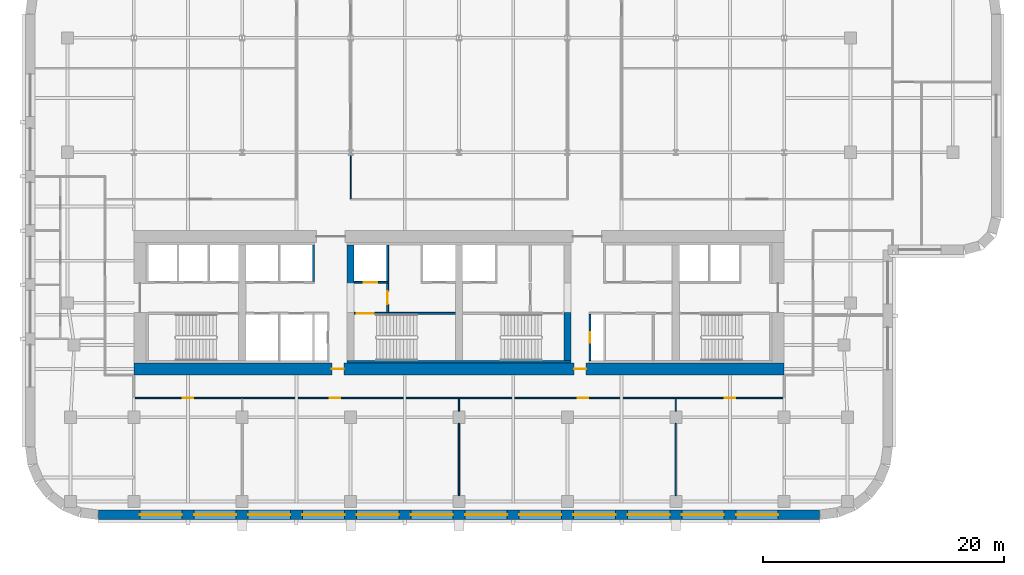
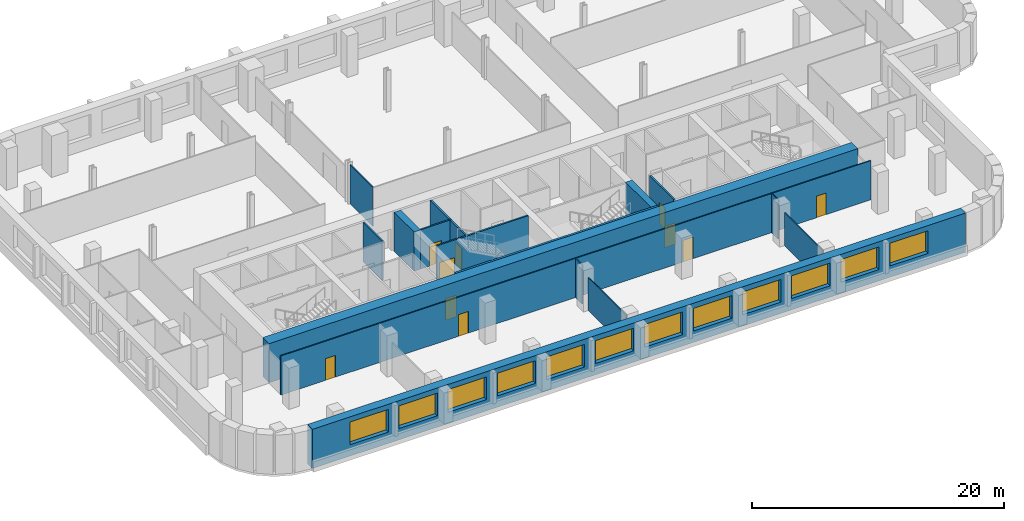
# One storey, part 4 of 9: 17 walls, 12 windows, 10 doors, 22 openings.
"""IFC4 building model written with IfcOpenShell, lengths in metres."""

from ifc_helpers import new_model, si_unit, direction, frame, frame_2d, origin, place, context, subcontext, project, spatial, rectangle, extrude, material, layer, layer_set, type_object, element, fill, save


model = new_model("IFC4")

# Units and contexts
model_context = context("Model", 3, precision=1e-05, world=origin(), true_north=direction((0.0, 1.0)))
body_context = subcontext(model_context, "Body", "Model", "MODEL_VIEW")
ifc_project = project(units=[si_unit("LENGTHUNIT", "METRE"), si_unit("AREAUNIT", "SQUARE_METRE"), si_unit("VOLUMEUNIT", "CUBIC_METRE"), si_unit("PLANEANGLEUNIT", "RADIAN"), si_unit("MASSUNIT", "GRAM", prefix="KILO")], contexts=[model_context])

# Site, building, storey
site_placement = place(None, origin())
site = spatial("IfcSite", under=ifc_project, at=site_placement, CompositionType="ELEMENT")
building_placement = place(site_placement, origin())
building = spatial("IfcBuilding", under=site, at=building_placement, Name="Zellij Exchange Tower", CompositionType="ELEMENT")
storey_placement = place(building_placement, frame((0.0, 0.0, 116.5)))
storey = spatial("IfcBuildingStorey", under=building, at=storey_placement, Name="L25", CompositionType="ELEMENT", Elevation=116.5)

# Walls
ifc_material_1 = material(Name="Concrete C70/85", Category="concrete")
ifc_layer_1 = layer(ifc_material_1, 0.60009765625)
ifc_layer_set_1 = layer_set([ifc_layer_1], Name="Concrete C70/85")
wall_type_1 = type_object("IfcWallType", Name="CORE-CW 600 C70/85", PredefinedType="SHEAR", material=ifc_layer_set_1)
wall_1_placement = place(storey_placement, frame((-9.0, -6.375, 0.0), z_axis=(0.0, 0.0, 1.0), x_axis=(0.0, 1.0, 0.0)))
element("IfcWall", 1, at=wall_1_placement, inside=storey, type_object=wall_type_1, Name="Core cross wall pier x -9 b L25", PredefinedType="SHEAR", context=body_context, shape_type="SweptSolid", body=[
    extrude(rectangle(XDim=3.175048828125, YDim=0.60009765625, at=frame_2d((1.58740234375, 0.0))), origin(), (0.0, 0.0, 1.0), 3.800048828125),
])
wall_2_placement = place(storey_placement, frame((9.0, -12.800048828125, 0.0), z_axis=(0.0, 0.0, 1.0), x_axis=(0.0, 1.0, 0.0)))
element("IfcWall", 2, at=wall_2_placement, inside=storey, type_object=wall_type_1, Name="Core cross wall pier x 9 a L25", PredefinedType="SHEAR", context=body_context, shape_type="SweptSolid", body=[
    extrude(rectangle(XDim=4.0, YDim=0.60009765625, at=frame_2d((2.0, 0.0))), origin(), (0.0, 0.0, 1.0), 3.800048828125),
])
ifc_material_2 = material(Name="Concrete C30/37", Category="concrete")
ifc_layer_2 = layer(ifc_material_2, 0.199951171875)
ifc_layer_set_2 = layer_set([ifc_layer_2], Name="Concrete C30/37")
wall_type_2 = type_object("IfcWallType", Name="CORE-LW 200 C30/37", PredefinedType="SHEAR", material=ifc_layer_set_2)
wall_3_placement = place(storey_placement, frame((-9.300048828125, -12.89990234375, 0.0), z_axis=(0.0, 0.0, 1.0), x_axis=(1.0, 0.0, 0.0)))
element("IfcWall", 3, at=wall_3_placement, inside=storey, type_object=wall_type_2, Name="Core wall lining rear.1 L25", PredefinedType="SHEAR", context=body_context, shape_type="SweptSolid", body=[
    extrude(rectangle(XDim=18.60009765625, YDim=0.199951171875, at=frame_2d((9.300048828125, 0.0))), origin(), (0.0, 0.0, 1.0), 3.800048828125),
])

# Wall, opening, door
ifc_material_3 = material(Name="Gypsum shaft wall system")
ifc_layer_3 = layer(ifc_material_3, 0.14990234375)
ifc_layer_set_3 = layer_set([ifc_layer_3], Name="Gypsum shaft wall system")
wall_type_3 = type_object("IfcWallType", Name="CORE-PW 150 Firefighting lobby wall", PredefinedType="PARTITIONING", material=ifc_layer_set_3)
wall_4_placement = place(storey_placement, frame((-5.925048828125, -8.800048828125, 0.0), z_axis=(0.0, 0.0, 1.0), x_axis=(0.0, 1.0, 0.0)))
wall_4 = element("IfcWall", 4, at=wall_4_placement, inside=storey, type_object=wall_type_3, Name="Firefighting lobby wall L25", PredefinedType="PARTITIONING", context=body_context, shape_type="SweptSolid", body=[
    extrude(rectangle(XDim=2.425048828125, YDim=0.14990234375, at=frame_2d((1.21240234375, 0.0))), origin(), (0.0, 0.0, 1.0), 3.800048828125),
])
opening_1_placement = place(wall_4_placement, frame((0.662109375, 0.0, 0.0)))
opening_1 = element("IfcOpeningElement", 5, at=opening_1_placement, cuts=wall_4, Name="Opening CA-14.15", PredefinedType="OPENING", context=body_context, shape_type="SweptSolid", body=[
    extrude(rectangle(XDim=1.10009765625, YDim=2.10009765625, at=frame_2d((0.550048828125, 1.050048828125))), frame((0.0, 0.0869140625, 0.0), z_axis=(0.0, -1.0, 0.0), x_axis=(1.0, 0.0, 0.0)), (0.0, 0.0, 1.0), 0.173828125),
])
ifc_material_4 = material(Name="Hollow metal fire door")
door_type_1 = type_object("IfcDoorType", Name="CORE-D F Firefighting lobby door 1100x2100 1 HR", OperationType="NOTDEFINED", PredefinedType="DOOR", material=ifc_material_4)
door_1_placement = place(opening_1_placement, origin())
door_1 = element("IfcDoor", 6, at=door_1_placement, inside=storey, type_object=door_type_1, Name="Firefighting lobby door CA-14.15", OperationType="SINGLE_SWING_LEFT", OverallHeight=2.10009765625, OverallWidth=1.10009765625, PredefinedType="DOOR", context=body_context, shape_type="SweptSolid", body=[
    extrude(rectangle(XDim=1.10009765625, YDim=2.10009765625, at=frame_2d((0.550048828125, 1.050048828125))), frame((0.0, 0.02490234375, 0.0), z_axis=(0.0, -1.0, 0.0), x_axis=(1.0, 0.0, 0.0)), (0.0, 0.0, 1.0), 0.050048828125),
])
fill(opening_1, door_1)

ifc_material_5 = material(Name="Gypsum board partition")
ifc_layer_4 = layer(ifc_material_5, 0.14990234375)
ifc_layer_set_4 = layer_set([ifc_layer_4], Name="Gypsum board partition")
wall_type_4 = type_object("IfcWallType", Name="CORE-PW 150 Lift lobby wall", PredefinedType="PARTITIONING", material=ifc_layer_set_4)
wall_5_placement = place(storey_placement, frame((10.875, -12.800048828125, 0.0), z_axis=(0.0, 0.0, 1.0), x_axis=(0.0, 1.0, 0.0)))
wall_5 = element("IfcWall", 7, at=wall_5_placement, inside=storey, type_object=wall_type_4, Name="Lift lobby wall L25", PredefinedType="PARTITIONING", context=body_context, shape_type="SweptSolid", body=[
    extrude(rectangle(XDim=3.85009765625, YDim=0.14990234375, at=frame_2d((1.925048828125, 0.0))), origin(), (0.0, 0.0, 1.0), 3.800048828125),
])
opening_2_placement = place(wall_5_placement, frame((1.47509765625, 0.0, 0.0)))
opening_2 = element("IfcOpeningElement", 8, at=opening_2_placement, cuts=wall_5, Name="Opening CA-14.22", PredefinedType="OPENING", context=body_context, shape_type="SweptSolid", body=[
    extrude(rectangle(XDim=0.89990234375, YDim=2.10009765625, at=frame_2d((0.449951171875, 1.050048828125))), frame((0.0, 0.0869140625, 0.0), z_axis=(0.0, -1.0, 0.0), x_axis=(1.0, 0.0, 0.0)), (0.0, 0.0, 1.0), 0.173828125),
])
door_type_2 = type_object("IfcDoorType", Name="CORE-D RD Riser door 900x2100 1.5 HR", OperationType="NOTDEFINED", PredefinedType="DOOR", material=ifc_material_4)
door_2_placement = place(opening_2_placement, origin())
door_2 = element("IfcDoor", 9, at=door_2_placement, inside=storey, type_object=door_type_2, Name="Riser door CA-14.22", OperationType="SINGLE_SWING_LEFT", OverallHeight=2.10009765625, OverallWidth=0.89990234375, PredefinedType="DOOR", context=body_context, shape_type="SweptSolid", body=[
    extrude(rectangle(XDim=0.89990234375, YDim=2.10009765625, at=frame_2d((0.449951171875, 1.050048828125))), frame((0.0, 0.02490234375, 0.0), z_axis=(0.0, -1.0, 0.0), x_axis=(1.0, 0.0, 0.0)), (0.0, 0.0, 1.0), 0.050048828125),
])
fill(opening_2, door_2)

# Walls
ifc_layer_5 = layer(ifc_material_3, 0.14990234375)
ifc_layer_set_5 = layer_set([ifc_layer_5], Name="Gypsum shaft wall system")
wall_type_5 = type_object("IfcWallType", Name="CORE-PW 150 Lift shaft wall", PredefinedType="PARTITIONING", material=ifc_layer_set_5)
for number, where, z_axis, x_axis, name in (
    (10, (-12.074951171875, -6.22509765625, 0.0), (0.0, 0.0, 1.0), (0.0, 1.0, 0.0), "Lift shaft wall L25"),
    (11, (-5.925048828125, -6.22509765625, 0.0), (0.0, 0.0, 1.0), (0.0, 1.0, 0.0), "Lift shaft wall L25"),
):
    element("IfcWall", number, at=place(storey_placement, frame(where, z_axis=z_axis, x_axis=x_axis)), inside=storey, type_object=wall_type_5, Name=name, PredefinedType="PARTITIONING", context=body_context, shape_type="SweptSolid", body=[
        extrude(rectangle(XDim=3.025146484375, YDim=0.14990234375, at=frame_2d((1.5126953125, 0.0))), origin(), (0.0, 0.0, 1.0), 3.800048828125),
    ])

# Wall, opening, door
wall_6_placement = place(storey_placement, frame((-8.699951171875, -6.300048828125, 0.0), z_axis=(0.0, 0.0, 1.0), x_axis=(1.0, 0.0, 0.0)))
wall_6 = element("IfcWall", 12, at=wall_6_placement, inside=storey, type_object=wall_type_5, Name="Lift shaft wall L25", PredefinedType="PARTITIONING", context=body_context, shape_type="SweptSolid", body=[
    extrude(rectangle(XDim=2.849853515625, YDim=0.14990234375, at=frame_2d((1.4248046875, 0.0))), origin(), (0.0, 0.0, 1.0), 3.800048828125),
])
opening_3_placement = place(wall_6_placement, frame((0.800048828125, 0.0, 0.0)))
opening_3 = element("IfcOpeningElement", 13, at=opening_3_placement, cuts=wall_6, Name="Opening CA-14.14", PredefinedType="OPENING", context=body_context, shape_type="SweptSolid", body=[
    extrude(rectangle(XDim=1.10009765625, YDim=2.10009765625, at=frame_2d((0.550048828125, 1.050048828125))), frame((0.0, 0.0869140625, 0.0), z_axis=(0.0, -1.0, 0.0), x_axis=(1.0, 0.0, 0.0)), (0.0, 0.0, 1.0), 0.173828125),
])
door_type_3 = type_object("IfcDoorType", Name="CORE-D LD Lift landing door 1100x2100 1.5 HR", OperationType="NOTDEFINED", PredefinedType="DOOR", material=ifc_material_4)
door_3_placement = place(opening_3_placement, origin())
door_3 = element("IfcDoor", 14, at=door_3_placement, inside=storey, type_object=door_type_3, Name="Lift landing door CA-14.14", OperationType="SLIDING_TO_RIGHT", OverallHeight=2.10009765625, OverallWidth=1.10009765625, PredefinedType="DOOR", context=body_context, shape_type="SweptSolid", body=[
    extrude(rectangle(XDim=1.10009765625, YDim=2.10009765625, at=frame_2d((0.550048828125, 1.050048828125))), frame((0.0, 0.02490234375, 0.0), z_axis=(0.0, -1.0, 0.0), x_axis=(1.0, 0.0, 0.0)), (0.0, 0.0, 1.0), 0.050048828125),
])
fill(opening_3, door_3)

# Wall, openings, doors
ifc_layer_6 = layer(ifc_material_1, 1.0)
ifc_layer_set_6 = layer_set([ifc_layer_6], Name="Concrete C70/85")
wall_type_6 = type_object("IfcWallType", Name="CORE-SW 1000 C70/85", PredefinedType="SHEAR", material=ifc_layer_set_6)
wall_7_placement = place(storey_placement, frame((-27.0, -13.5, 0.0), z_axis=(0.0, 0.0, 1.0), x_axis=(1.0, 0.0, 0.0)))
wall_7 = element("IfcWall", 15, at=wall_7_placement, inside=storey, type_object=wall_type_6, Name="Core shear wall rear L25", PredefinedType="SHEAR", context=body_context, shape_type="SweptSolid", body=[
    extrude(rectangle(XDim=54.0, YDim=1.0, at=frame_2d((27.0, 0.0))), origin(), (0.0, 0.0, 1.0), 3.800048828125),
])
opening_4_placement = place(wall_7_placement, frame((16.449951171875, 0.0, 0.0)))
opening_4 = element("IfcOpeningElement", 16, at=opening_4_placement, cuts=wall_7, Name="Opening CA-14.12", PredefinedType="OPENING", context=body_context, shape_type="SweptSolid", body=[
    extrude(rectangle(XDim=1.0, YDim=2.10009765625, at=frame_2d((0.5, 1.050048828125))), frame((0.0, 0.511962890625, 0.0), z_axis=(0.0, -1.0, 0.0), x_axis=(1.0, 0.0, 0.0)), (0.0, 0.0, 1.0), 1.02392578125),
])
opening_5_placement = place(wall_7_placement, frame((36.550048828125, 0.0, 0.0)))
opening_5 = element("IfcOpeningElement", 17, at=opening_5_placement, cuts=wall_7, Name="Opening CA-14.20", PredefinedType="OPENING", context=body_context, shape_type="SweptSolid", body=[
    extrude(rectangle(XDim=1.0, YDim=2.10009765625, at=frame_2d((0.5, 1.050048828125))), frame((0.0, 0.511962890625, 0.0), z_axis=(0.0, -1.0, 0.0), x_axis=(1.0, 0.0, 0.0)), (0.0, 0.0, 1.0), 1.02392578125),
])
door_type_4 = type_object("IfcDoorType", Name="CORE-D CR Core rear door 1000x2100 20 MIN", OperationType="NOTDEFINED", PredefinedType="DOOR", material=ifc_material_4)
door_4_placement = place(opening_4_placement, origin())
door_4 = element("IfcDoor", 18, at=door_4_placement, inside=storey, type_object=door_type_4, Name="Core rear door CA-14.12", OperationType="SINGLE_SWING_RIGHT", OverallHeight=2.10009765625, OverallWidth=1.0, PredefinedType="DOOR", context=body_context, shape_type="SweptSolid", body=[
    extrude(rectangle(XDim=1.0, YDim=2.10009765625, at=frame_2d((0.5, 1.050048828125))), frame((0.0, 0.02490234375, 0.0), z_axis=(0.0, -1.0, 0.0), x_axis=(1.0, 0.0, 0.0)), (0.0, 0.0, 1.0), 0.050048828125),
])
fill(opening_4, door_4)
door_5_placement = place(opening_5_placement, origin())
door_5 = element("IfcDoor", 19, at=door_5_placement, inside=storey, type_object=door_type_4, Name="Core rear door CA-14.20", OperationType="SINGLE_SWING_LEFT", OverallHeight=2.10009765625, OverallWidth=1.0, PredefinedType="DOOR", context=body_context, shape_type="SweptSolid", body=[
    extrude(rectangle(XDim=1.0, YDim=2.10009765625, at=frame_2d((0.5, 1.050048828125))), frame((0.0, 0.02490234375, 0.0), z_axis=(0.0, -1.0, 0.0), x_axis=(1.0, 0.0, 0.0)), (0.0, 0.0, 1.0), 0.050048828125),
])
fill(opening_5, door_5)

# Wall, opening, door
ifc_layer_7 = layer(ifc_material_1, 0.14990234375)
ifc_layer_set_7 = layer_set([ifc_layer_7], Name="Concrete C70/85")
wall_type_7 = type_object("IfcWallType", Name="CORE-SWS 150 C70/85", PredefinedType="SHEAR", material=ifc_layer_set_7)
wall_8_placement = place(storey_placement, frame((-8.699951171875, -8.875, 0.0), z_axis=(0.0, 0.0, 1.0), x_axis=(1.0, 0.0, 0.0)))
wall_8 = element("IfcWall", 20, at=wall_8_placement, inside=storey, type_object=wall_type_7, Name="Stair enclosure wall L25", PredefinedType="SHEAR", context=body_context, shape_type="SweptSolid", body=[
    extrude(rectangle(XDim=8.39990234375, YDim=0.14990234375, at=frame_2d((4.199951171875, 0.0))), origin(), (0.0, 0.0, 1.0), 3.800048828125),
])
opening_6_placement = place(wall_8_placement, frame((0.22509765625, 0.0, 0.0)))
opening_6 = element("IfcOpeningElement", 21, at=opening_6_placement, cuts=wall_8, Name="Opening CA-14.13", PredefinedType="OPENING", context=body_context, shape_type="SweptSolid", body=[
    extrude(rectangle(XDim=1.39990234375, YDim=2.10009765625, at=frame_2d((0.699951171875, 1.050048828125))), frame((0.0, 0.0869140625, 0.0), z_axis=(0.0, -1.0, 0.0), x_axis=(1.0, 0.0, 0.0)), (0.0, 0.0, 1.0), 0.173828125),
])
door_type_5 = type_object("IfcDoorType", Name="CORE-D SD Stair door 1400x2100 1.5 HR", OperationType="NOTDEFINED", PredefinedType="DOOR", material=ifc_material_4)
door_6_placement = place(opening_6_placement, origin())
door_6 = element("IfcDoor", 22, at=door_6_placement, inside=storey, type_object=door_type_5, Name="Stair door CA-14.13", OperationType="DOUBLE_DOOR_SINGLE_SWING", OverallHeight=2.10009765625, OverallWidth=1.39990234375, PredefinedType="DOOR", context=body_context, shape_type="SweptSolid", body=[
    extrude(rectangle(XDim=1.39990234375, YDim=2.10009765625, at=frame_2d((0.699951171875, 1.050048828125))), frame((0.0, 0.02490234375, 0.0), z_axis=(0.0, -1.0, 0.0), x_axis=(1.0, 0.0, 0.0)), (0.0, 0.0, 1.0), 0.050048828125),
])
fill(opening_6, door_6)

# Wall, openings, windows
ifc_material_6 = material(Name="Precast concrete C40/50", Category="concrete")
ifc_layer_8 = layer(ifc_material_6, 0.800048828125)
ifc_layer_set_8 = layer_set([ifc_layer_8], Name="Precast concrete C40/50")
wall_type_8 = type_object("IfcWallType", Name="ENV-EW1 Precast stone-piered wall 800", PredefinedType="SOLIDWALL", material=ifc_layer_set_8)
wall_9_placement = place(storey_placement, frame((-29.947509765625, -25.60009765625, 0.0), z_axis=(0.0, 0.0, 1.0), x_axis=(1.0, 0.0, 0.0)))
wall_9 = element("IfcWall", 23, at=wall_9_placement, inside=storey, type_object=wall_type_8, Name="fac.L25.00", PredefinedType="SOLIDWALL", context=body_context, shape_type="SweptSolid", body=[
    extrude(rectangle(XDim=59.89501953125, YDim=0.800048828125, at=frame_2d((29.947509765625, 0.0))), origin(), (0.0, 0.0, 1.0), 3.800048828125),
])
opening_7_placement = place(wall_9_placement, frame((3.447509765625, 0.0, 1.10009765625)))
opening_7 = element("IfcOpeningElement", 24, at=opening_7_placement, cuts=wall_9, Name="Opening FZ2.01", PredefinedType="OPENING", context=body_context, shape_type="SweptSolid", body=[
    extrude(rectangle(XDim=3.5, YDim=2.199951171875, at=frame_2d((1.75, 1.10009765625))), frame((0.0, 0.412109375, 0.0), z_axis=(0.0, -1.0, 0.0), x_axis=(1.0, 0.0, 0.0)), (0.0, 0.0, 1.0), 0.823974609375),
])
opening_8_placement = place(wall_9_placement, frame((7.947509765625, 0.0, 1.10009765625)))
opening_8 = element("IfcOpeningElement", 25, at=opening_8_placement, cuts=wall_9, Name="Opening FZ2.02", PredefinedType="OPENING", context=body_context, shape_type="SweptSolid", body=[
    extrude(rectangle(XDim=3.5, YDim=2.199951171875, at=frame_2d((1.75, 1.10009765625))), frame((0.0, 0.412109375, 0.0), z_axis=(0.0, -1.0, 0.0), x_axis=(1.0, 0.0, 0.0)), (0.0, 0.0, 1.0), 0.823974609375),
])
opening_9_placement = place(wall_9_placement, frame((12.447509765625, 0.0, 1.10009765625)))
opening_9 = element("IfcOpeningElement", 26, at=opening_9_placement, cuts=wall_9, Name="Opening FZ2.03", PredefinedType="OPENING", context=body_context, shape_type="SweptSolid", body=[
    extrude(rectangle(XDim=3.5, YDim=2.199951171875, at=frame_2d((1.75, 1.10009765625))), frame((0.0, 0.412109375, 0.0), z_axis=(0.0, -1.0, 0.0), x_axis=(1.0, 0.0, 0.0)), (0.0, 0.0, 1.0), 0.823974609375),
])
opening_10_placement = place(wall_9_placement, frame((16.947509765625, 0.0, 1.10009765625)))
opening_10 = element("IfcOpeningElement", 27, at=opening_10_placement, cuts=wall_9, Name="Opening FZ2.04", PredefinedType="OPENING", context=body_context, shape_type="SweptSolid", body=[
    extrude(rectangle(XDim=3.5, YDim=2.199951171875, at=frame_2d((1.75, 1.10009765625))), frame((0.0, 0.412109375, 0.0), z_axis=(0.0, -1.0, 0.0), x_axis=(1.0, 0.0, 0.0)), (0.0, 0.0, 1.0), 0.823974609375),
])
opening_11_placement = place(wall_9_placement, frame((21.447509765625, 0.0, 1.10009765625)))
opening_11 = element("IfcOpeningElement", 28, at=opening_11_placement, cuts=wall_9, Name="Opening FZ2.05", PredefinedType="OPENING", context=body_context, shape_type="SweptSolid", body=[
    extrude(rectangle(XDim=3.5, YDim=2.199951171875, at=frame_2d((1.75, 1.10009765625))), frame((0.0, 0.412109375, 0.0), z_axis=(0.0, -1.0, 0.0), x_axis=(1.0, 0.0, 0.0)), (0.0, 0.0, 1.0), 0.823974609375),
])
opening_12_placement = place(wall_9_placement, frame((25.947509765625, 0.0, 1.10009765625)))
opening_12 = element("IfcOpeningElement", 29, at=opening_12_placement, cuts=wall_9, Name="Opening FZ2.06", PredefinedType="OPENING", context=body_context, shape_type="SweptSolid", body=[
    extrude(rectangle(XDim=3.5, YDim=2.199951171875, at=frame_2d((1.75, 1.10009765625))), frame((0.0, 0.412109375, 0.0), z_axis=(0.0, -1.0, 0.0), x_axis=(1.0, 0.0, 0.0)), (0.0, 0.0, 1.0), 0.823974609375),
])
opening_13_placement = place(wall_9_placement, frame((30.447509765625, 0.0, 1.10009765625)))
opening_13 = element("IfcOpeningElement", 30, at=opening_13_placement, cuts=wall_9, Name="Opening FZ2.07", PredefinedType="OPENING", context=body_context, shape_type="SweptSolid", body=[
    extrude(rectangle(XDim=3.5, YDim=2.199951171875, at=frame_2d((1.75, 1.10009765625))), frame((0.0, 0.412109375, 0.0), z_axis=(0.0, -1.0, 0.0), x_axis=(1.0, 0.0, 0.0)), (0.0, 0.0, 1.0), 0.823974609375),
])
opening_14_placement = place(wall_9_placement, frame((34.947509765625, 0.0, 1.10009765625)))
opening_14 = element("IfcOpeningElement", 31, at=opening_14_placement, cuts=wall_9, Name="Opening FZ2.08", PredefinedType="OPENING", context=body_context, shape_type="SweptSolid", body=[
    extrude(rectangle(XDim=3.5, YDim=2.199951171875, at=frame_2d((1.75, 1.10009765625))), frame((0.0, 0.412109375, 0.0), z_axis=(0.0, -1.0, 0.0), x_axis=(1.0, 0.0, 0.0)), (0.0, 0.0, 1.0), 0.823974609375),
])
opening_15_placement = place(wall_9_placement, frame((39.447509765625, 0.0, 1.10009765625)))
opening_15 = element("IfcOpeningElement", 32, at=opening_15_placement, cuts=wall_9, Name="Opening FZ2.09", PredefinedType="OPENING", context=body_context, shape_type="SweptSolid", body=[
    extrude(rectangle(XDim=3.5, YDim=2.199951171875, at=frame_2d((1.75, 1.10009765625))), frame((0.0, 0.412109375, 0.0), z_axis=(0.0, -1.0, 0.0), x_axis=(1.0, 0.0, 0.0)), (0.0, 0.0, 1.0), 0.823974609375),
])
opening_16_placement = place(wall_9_placement, frame((43.947509765625, 0.0, 1.10009765625)))
opening_16 = element("IfcOpeningElement", 33, at=opening_16_placement, cuts=wall_9, Name="Opening FZ2.10", PredefinedType="OPENING", context=body_context, shape_type="SweptSolid", body=[
    extrude(rectangle(XDim=3.5, YDim=2.199951171875, at=frame_2d((1.75, 1.10009765625))), frame((0.0, 0.412109375, 0.0), z_axis=(0.0, -1.0, 0.0), x_axis=(1.0, 0.0, 0.0)), (0.0, 0.0, 1.0), 0.823974609375),
])
opening_17_placement = place(wall_9_placement, frame((48.447509765625, 0.0, 1.10009765625)))
opening_17 = element("IfcOpeningElement", 34, at=opening_17_placement, cuts=wall_9, Name="Opening FZ2.11", PredefinedType="OPENING", context=body_context, shape_type="SweptSolid", body=[
    extrude(rectangle(XDim=3.5, YDim=2.199951171875, at=frame_2d((1.75, 1.10009765625))), frame((0.0, 0.412109375, 0.0), z_axis=(0.0, -1.0, 0.0), x_axis=(1.0, 0.0, 0.0)), (0.0, 0.0, 1.0), 0.823974609375),
])
opening_18_placement = place(wall_9_placement, frame((52.947509765625, 0.0, 1.10009765625)))
opening_18 = element("IfcOpeningElement", 35, at=opening_18_placement, cuts=wall_9, Name="Opening FZ2.12", PredefinedType="OPENING", context=body_context, shape_type="SweptSolid", body=[
    extrude(rectangle(XDim=3.5, YDim=2.199951171875, at=frame_2d((1.75, 1.10009765625))), frame((0.0, 0.412109375, 0.0), z_axis=(0.0, -1.0, 0.0), x_axis=(1.0, 0.0, 0.0)), (0.0, 0.0, 1.0), 0.823974609375),
])
ifc_material_7 = material(Name="Aluminium frame with insulating glass", Category="aluminium")
window_type = type_object("IfcWindowType", Name="ENV-W7 Window 3500x2200", PartitioningType="SINGLE_PANEL", PredefinedType="WINDOW", material=ifc_material_7)
window_1_placement = place(opening_7_placement, origin())
window_1 = element("IfcWindow", 36, at=window_1_placement, inside=storey, type_object=window_type, Name="Window FZ2.01", OverallHeight=2.199951171875, OverallWidth=3.5, PartitioningType="SINGLE_PANEL", PredefinedType="WINDOW", context=body_context, shape_type="SweptSolid", body=[
    extrude(rectangle(XDim=3.5, YDim=2.199951171875, at=frame_2d((1.75, 1.10009765625))), frame((0.0, 0.030029296875, 0.0), z_axis=(0.0, -1.0, 0.0), x_axis=(1.0, 0.0, 0.0)), (0.0, 0.0, 1.0), 0.06005859375),
])
fill(opening_7, window_1)
window_2_placement = place(opening_8_placement, origin())
window_2 = element("IfcWindow", 37, at=window_2_placement, inside=storey, type_object=window_type, Name="Window FZ2.02", OverallHeight=2.199951171875, OverallWidth=3.5, PartitioningType="SINGLE_PANEL", PredefinedType="WINDOW", context=body_context, shape_type="SweptSolid", body=[
    extrude(rectangle(XDim=3.5, YDim=2.199951171875, at=frame_2d((1.75, 1.10009765625))), frame((0.0, 0.030029296875, 0.0), z_axis=(0.0, -1.0, 0.0), x_axis=(1.0, 0.0, 0.0)), (0.0, 0.0, 1.0), 0.06005859375),
])
fill(opening_8, window_2)
window_3_placement = place(opening_9_placement, origin())
window_3 = element("IfcWindow", 38, at=window_3_placement, inside=storey, type_object=window_type, Name="Window FZ2.03", OverallHeight=2.199951171875, OverallWidth=3.5, PartitioningType="SINGLE_PANEL", PredefinedType="WINDOW", context=body_context, shape_type="SweptSolid", body=[
    extrude(rectangle(XDim=3.5, YDim=2.199951171875, at=frame_2d((1.75, 1.10009765625))), frame((0.0, 0.030029296875, 0.0), z_axis=(0.0, -1.0, 0.0), x_axis=(1.0, 0.0, 0.0)), (0.0, 0.0, 1.0), 0.06005859375),
])
fill(opening_9, window_3)
window_4_placement = place(opening_10_placement, origin())
window_4 = element("IfcWindow", 39, at=window_4_placement, inside=storey, type_object=window_type, Name="Window FZ2.04", OverallHeight=2.199951171875, OverallWidth=3.5, PartitioningType="SINGLE_PANEL", PredefinedType="WINDOW", context=body_context, shape_type="SweptSolid", body=[
    extrude(rectangle(XDim=3.5, YDim=2.199951171875, at=frame_2d((1.75, 1.10009765625))), frame((0.0, 0.030029296875, 0.0), z_axis=(0.0, -1.0, 0.0), x_axis=(1.0, 0.0, 0.0)), (0.0, 0.0, 1.0), 0.06005859375),
])
fill(opening_10, window_4)
window_5_placement = place(opening_11_placement, origin())
window_5 = element("IfcWindow", 40, at=window_5_placement, inside=storey, type_object=window_type, Name="Window FZ2.05", OverallHeight=2.199951171875, OverallWidth=3.5, PartitioningType="SINGLE_PANEL", PredefinedType="WINDOW", context=body_context, shape_type="SweptSolid", body=[
    extrude(rectangle(XDim=3.5, YDim=2.199951171875, at=frame_2d((1.75, 1.10009765625))), frame((0.0, 0.030029296875, 0.0), z_axis=(0.0, -1.0, 0.0), x_axis=(1.0, 0.0, 0.0)), (0.0, 0.0, 1.0), 0.06005859375),
])
fill(opening_11, window_5)
window_6_placement = place(opening_12_placement, origin())
window_6 = element("IfcWindow", 41, at=window_6_placement, inside=storey, type_object=window_type, Name="Window FZ2.06", OverallHeight=2.199951171875, OverallWidth=3.5, PartitioningType="SINGLE_PANEL", PredefinedType="WINDOW", context=body_context, shape_type="SweptSolid", body=[
    extrude(rectangle(XDim=3.5, YDim=2.199951171875, at=frame_2d((1.75, 1.10009765625))), frame((0.0, 0.030029296875, 0.0), z_axis=(0.0, -1.0, 0.0), x_axis=(1.0, 0.0, 0.0)), (0.0, 0.0, 1.0), 0.06005859375),
])
fill(opening_12, window_6)
window_7_placement = place(opening_13_placement, origin())
window_7 = element("IfcWindow", 42, at=window_7_placement, inside=storey, type_object=window_type, Name="Window FZ2.07", OverallHeight=2.199951171875, OverallWidth=3.5, PartitioningType="SINGLE_PANEL", PredefinedType="WINDOW", context=body_context, shape_type="SweptSolid", body=[
    extrude(rectangle(XDim=3.5, YDim=2.199951171875, at=frame_2d((1.75, 1.10009765625))), frame((0.0, 0.030029296875, 0.0), z_axis=(0.0, -1.0, 0.0), x_axis=(1.0, 0.0, 0.0)), (0.0, 0.0, 1.0), 0.06005859375),
])
fill(opening_13, window_7)
window_8_placement = place(opening_14_placement, origin())
window_8 = element("IfcWindow", 43, at=window_8_placement, inside=storey, type_object=window_type, Name="Window FZ2.08", OverallHeight=2.199951171875, OverallWidth=3.5, PartitioningType="SINGLE_PANEL", PredefinedType="WINDOW", context=body_context, shape_type="SweptSolid", body=[
    extrude(rectangle(XDim=3.5, YDim=2.199951171875, at=frame_2d((1.75, 1.10009765625))), frame((0.0, 0.030029296875, 0.0), z_axis=(0.0, -1.0, 0.0), x_axis=(1.0, 0.0, 0.0)), (0.0, 0.0, 1.0), 0.06005859375),
])
fill(opening_14, window_8)
window_9_placement = place(opening_15_placement, origin())
window_9 = element("IfcWindow", 44, at=window_9_placement, inside=storey, type_object=window_type, Name="Window FZ2.09", OverallHeight=2.199951171875, OverallWidth=3.5, PartitioningType="SINGLE_PANEL", PredefinedType="WINDOW", context=body_context, shape_type="SweptSolid", body=[
    extrude(rectangle(XDim=3.5, YDim=2.199951171875, at=frame_2d((1.75, 1.10009765625))), frame((0.0, 0.030029296875, 0.0), z_axis=(0.0, -1.0, 0.0), x_axis=(1.0, 0.0, 0.0)), (0.0, 0.0, 1.0), 0.06005859375),
])
fill(opening_15, window_9)
window_10_placement = place(opening_16_placement, origin())
window_10 = element("IfcWindow", 45, at=window_10_placement, inside=storey, type_object=window_type, Name="Window FZ2.10", OverallHeight=2.199951171875, OverallWidth=3.5, PartitioningType="SINGLE_PANEL", PredefinedType="WINDOW", context=body_context, shape_type="SweptSolid", body=[
    extrude(rectangle(XDim=3.5, YDim=2.199951171875, at=frame_2d((1.75, 1.10009765625))), frame((0.0, 0.030029296875, 0.0), z_axis=(0.0, -1.0, 0.0), x_axis=(1.0, 0.0, 0.0)), (0.0, 0.0, 1.0), 0.06005859375),
])
fill(opening_16, window_10)
window_11_placement = place(opening_17_placement, origin())
window_11 = element("IfcWindow", 46, at=window_11_placement, inside=storey, type_object=window_type, Name="Window FZ2.11", OverallHeight=2.199951171875, OverallWidth=3.5, PartitioningType="SINGLE_PANEL", PredefinedType="WINDOW", context=body_context, shape_type="SweptSolid", body=[
    extrude(rectangle(XDim=3.5, YDim=2.199951171875, at=frame_2d((1.75, 1.10009765625))), frame((0.0, 0.030029296875, 0.0), z_axis=(0.0, -1.0, 0.0), x_axis=(1.0, 0.0, 0.0)), (0.0, 0.0, 1.0), 0.06005859375),
])
fill(opening_17, window_11)
window_12_placement = place(opening_18_placement, origin())
window_12 = element("IfcWindow", 47, at=window_12_placement, inside=storey, type_object=window_type, Name="Window FZ2.12", OverallHeight=2.199951171875, OverallWidth=3.5, PartitioningType="SINGLE_PANEL", PredefinedType="WINDOW", context=body_context, shape_type="SweptSolid", body=[
    extrude(rectangle(XDim=3.5, YDim=2.199951171875, at=frame_2d((1.75, 1.10009765625))), frame((0.0, 0.030029296875, 0.0), z_axis=(0.0, -1.0, 0.0), x_axis=(1.0, 0.0, 0.0)), (0.0, 0.0, 1.0), 0.06005859375),
])
fill(opening_18, window_12)

# Walls
ifc_material_8 = material(Name="Gypsum board partition on steel studs", Category="steel")
ifc_layer_9 = layer(ifc_material_8, 0.10009765625)
ifc_layer_set_9 = layer_set([ifc_layer_9], Name="Gypsum board partition on steel studs")
wall_type_9 = type_object("IfcWallType", Name="FIT-PARTITION-100", PredefinedType="PARTITIONING", material=ifc_layer_set_9)
wall_10_placement = place(storey_placement, frame((0.0, -24.0, 0.0), z_axis=(0.0, 0.0, 1.0), x_axis=(0.0, 1.0, 0.0)))
element("IfcWall", 48, at=wall_10_placement, inside=storey, type_object=wall_type_9, Name="FIT-PARTITION-100 003", PredefinedType="PARTITIONING", context=body_context, shape_type="SweptSolid", body=[
    extrude(rectangle(XDim=6.0, YDim=0.10009765625, at=frame_2d((3.0, 0.0))), origin(), (0.0, 0.0, 1.0), 3.18798828125),
])
wall_11_placement = place(storey_placement, frame((0.0, -17.0, 0.0), z_axis=(0.0, 0.0, 1.0), x_axis=(0.0, 1.0, 0.0)))
element("IfcWall", 49, at=wall_11_placement, inside=storey, type_object=wall_type_9, Name="FIT-PARTITION-100 004", PredefinedType="PARTITIONING", context=body_context, shape_type="SweptSolid", body=[
    extrude(rectangle(XDim=1.050048828125, YDim=0.10009765625, at=frame_2d((0.52490234375, 0.0))), origin(), (0.0, 0.0, 1.0), 3.800048828125),
])
wall_12_placement = place(storey_placement, frame((18.0, -24.0, 0.0), z_axis=(0.0, 0.0, 1.0), x_axis=(0.0, 1.0, 0.0)))
element("IfcWall", 50, at=wall_12_placement, inside=storey, type_object=wall_type_9, Name="FIT-PARTITION-100 005", PredefinedType="PARTITIONING", context=body_context, shape_type="SweptSolid", body=[
    extrude(rectangle(XDim=6.0, YDim=0.10009765625, at=frame_2d((3.0, 0.0))), origin(), (0.0, 0.0, 1.0), 3.18798828125),
])
wall_13_placement = place(storey_placement, frame((18.0, -17.0, 0.0), z_axis=(0.0, 0.0, 1.0), x_axis=(0.0, 1.0, 0.0)))
element("IfcWall", 51, at=wall_13_placement, inside=storey, type_object=wall_type_9, Name="FIT-PARTITION-100 006", PredefinedType="PARTITIONING", context=body_context, shape_type="SweptSolid", body=[
    extrude(rectangle(XDim=1.050048828125, YDim=0.10009765625, at=frame_2d((0.52490234375, 0.0))), origin(), (0.0, 0.0, 1.0), 3.800048828125),
])

# Wall, openings, doors
wall_14_placement = place(storey_placement, frame((-27.050048828125, -15.89990234375, 0.0), z_axis=(0.0, 0.0, 1.0), x_axis=(1.0, 0.0, 0.0)))
wall_14 = element("IfcWall", 52, at=wall_14_placement, inside=storey, type_object=wall_type_9, Name="FIT-PARTITION-100 007", PredefinedType="PARTITIONING", context=body_context, shape_type="SweptSolid", body=[
    extrude(rectangle(XDim=54.10009765625, YDim=0.10009765625, at=frame_2d((27.050048828125, 0.0))), origin(), (0.0, 0.0, 1.0), 3.800048828125),
])
opening_19_placement = place(wall_14_placement, frame((4.10009765625, 0.0, 0.0)))
opening_19 = element("IfcOpeningElement", 53, at=opening_19_placement, cuts=wall_14, Name="Opening TE.01", PredefinedType="OPENING", context=body_context, shape_type="SweptSolid", body=[
    extrude(rectangle(XDim=0.89990234375, YDim=2.10009765625, at=frame_2d((0.449951171875, 1.050048828125))), frame((0.0, 0.06201171875, 0.0), z_axis=(0.0, -1.0, 0.0), x_axis=(1.0, 0.0, 0.0)), (0.0, 0.0, 1.0), 0.1240234375),
])
opening_20_placement = place(wall_14_placement, frame((16.300048828125, 0.0, 0.0)))
opening_20 = element("IfcOpeningElement", 54, at=opening_20_placement, cuts=wall_14, Name="Opening TE.02", PredefinedType="OPENING", context=body_context, shape_type="SweptSolid", body=[
    extrude(rectangle(XDim=0.89990234375, YDim=2.10009765625, at=frame_2d((0.449951171875, 1.050048828125))), frame((0.0, 0.06201171875, 0.0), z_axis=(0.0, -1.0, 0.0), x_axis=(1.0, 0.0, 0.0)), (0.0, 0.0, 1.0), 0.1240234375),
])
opening_21_placement = place(wall_14_placement, frame((36.89990234375, 0.0, 0.0)))
opening_21 = element("IfcOpeningElement", 55, at=opening_21_placement, cuts=wall_14, Name="Opening TE.03", PredefinedType="OPENING", context=body_context, shape_type="SweptSolid", body=[
    extrude(rectangle(XDim=0.89990234375, YDim=2.10009765625, at=frame_2d((0.449951171875, 1.050048828125))), frame((0.0, 0.06201171875, 0.0), z_axis=(0.0, -1.0, 0.0), x_axis=(1.0, 0.0, 0.0)), (0.0, 0.0, 1.0), 0.1240234375),
])
opening_22_placement = place(wall_14_placement, frame((49.10009765625, 0.0, 0.0)))
opening_22 = element("IfcOpeningElement", 56, at=opening_22_placement, cuts=wall_14, Name="Opening TE.04", PredefinedType="OPENING", context=body_context, shape_type="SweptSolid", body=[
    extrude(rectangle(XDim=0.89990234375, YDim=2.10009765625, at=frame_2d((0.449951171875, 1.050048828125))), frame((0.0, 0.06201171875, 0.0), z_axis=(0.0, -1.0, 0.0), x_axis=(1.0, 0.0, 0.0)), (0.0, 0.0, 1.0), 0.1240234375),
])
ifc_material_9 = material(Name="Timber door set", Category="wood")
door_type_6 = type_object("IfcDoorType", Name="FIT-D1-ROOM-900X2100", OperationType="SINGLE_SWING_LEFT", PredefinedType="DOOR", material=ifc_material_9)
door_7_placement = place(opening_19_placement, origin())
door_7 = element("IfcDoor", 57, at=door_7_placement, inside=storey, type_object=door_type_6, Name="Door TE.01", OperationType="SINGLE_SWING_LEFT", OverallHeight=2.10009765625, OverallWidth=0.89990234375, PredefinedType="DOOR", context=body_context, shape_type="SweptSolid", body=[
    extrude(rectangle(XDim=0.89990234375, YDim=2.10009765625, at=frame_2d((0.449951171875, 1.050048828125))), frame((0.0, 0.02490234375, 0.0), z_axis=(0.0, -1.0, 0.0), x_axis=(1.0, 0.0, 0.0)), (0.0, 0.0, 1.0), 0.050048828125),
])
fill(opening_19, door_7)
door_8_placement = place(opening_20_placement, origin())
door_8 = element("IfcDoor", 58, at=door_8_placement, inside=storey, type_object=door_type_6, Name="Door TE.02", OperationType="SINGLE_SWING_LEFT", OverallHeight=2.10009765625, OverallWidth=0.89990234375, PredefinedType="DOOR", context=body_context, shape_type="SweptSolid", body=[
    extrude(rectangle(XDim=0.89990234375, YDim=2.10009765625, at=frame_2d((0.449951171875, 1.050048828125))), frame((0.0, 0.02490234375, 0.0), z_axis=(0.0, -1.0, 0.0), x_axis=(1.0, 0.0, 0.0)), (0.0, 0.0, 1.0), 0.050048828125),
])
fill(opening_20, door_8)
door_9_placement = place(opening_21_placement, origin())
door_9 = element("IfcDoor", 59, at=door_9_placement, inside=storey, type_object=door_type_6, Name="Door TE.03", OperationType="SINGLE_SWING_RIGHT", OverallHeight=2.10009765625, OverallWidth=0.89990234375, PredefinedType="DOOR", context=body_context, shape_type="SweptSolid", body=[
    extrude(rectangle(XDim=0.89990234375, YDim=2.10009765625, at=frame_2d((0.449951171875, 1.050048828125))), frame((0.0, 0.02490234375, 0.0), z_axis=(0.0, -1.0, 0.0), x_axis=(1.0, 0.0, 0.0)), (0.0, 0.0, 1.0), 0.050048828125),
])
fill(opening_21, door_9)
door_10_placement = place(opening_22_placement, origin())
door_10 = element("IfcDoor", 60, at=door_10_placement, inside=storey, type_object=door_type_6, Name="Door TE.04", OperationType="SINGLE_SWING_LEFT", OverallHeight=2.10009765625, OverallWidth=0.89990234375, PredefinedType="DOOR", context=body_context, shape_type="SweptSolid", body=[
    extrude(rectangle(XDim=0.89990234375, YDim=2.10009765625, at=frame_2d((0.449951171875, 1.050048828125))), frame((0.0, 0.02490234375, 0.0), z_axis=(0.0, -1.0, 0.0), x_axis=(1.0, 0.0, 0.0)), (0.0, 0.0, 1.0), 0.050048828125),
])
fill(opening_22, door_10)

# Wall
wall_15_placement = place(storey_placement, frame((-9.0, 0.64990234375, 0.0), z_axis=(0.0, 0.0, 1.0), x_axis=(0.0, 1.0, 0.0)))
element("IfcWall", 61, at=wall_15_placement, inside=storey, type_object=wall_type_9, Name="FIT-PARTITION-100 027", PredefinedType="PARTITIONING", context=body_context, shape_type="SweptSolid", body=[
    extrude(rectangle(XDim=3.622802734375, YDim=0.10009765625, at=frame_2d((1.8115234375, 0.0))), origin(), (0.0, 0.0, 1.0), 3.800048828125),
])

save(model, "model.ifc")
